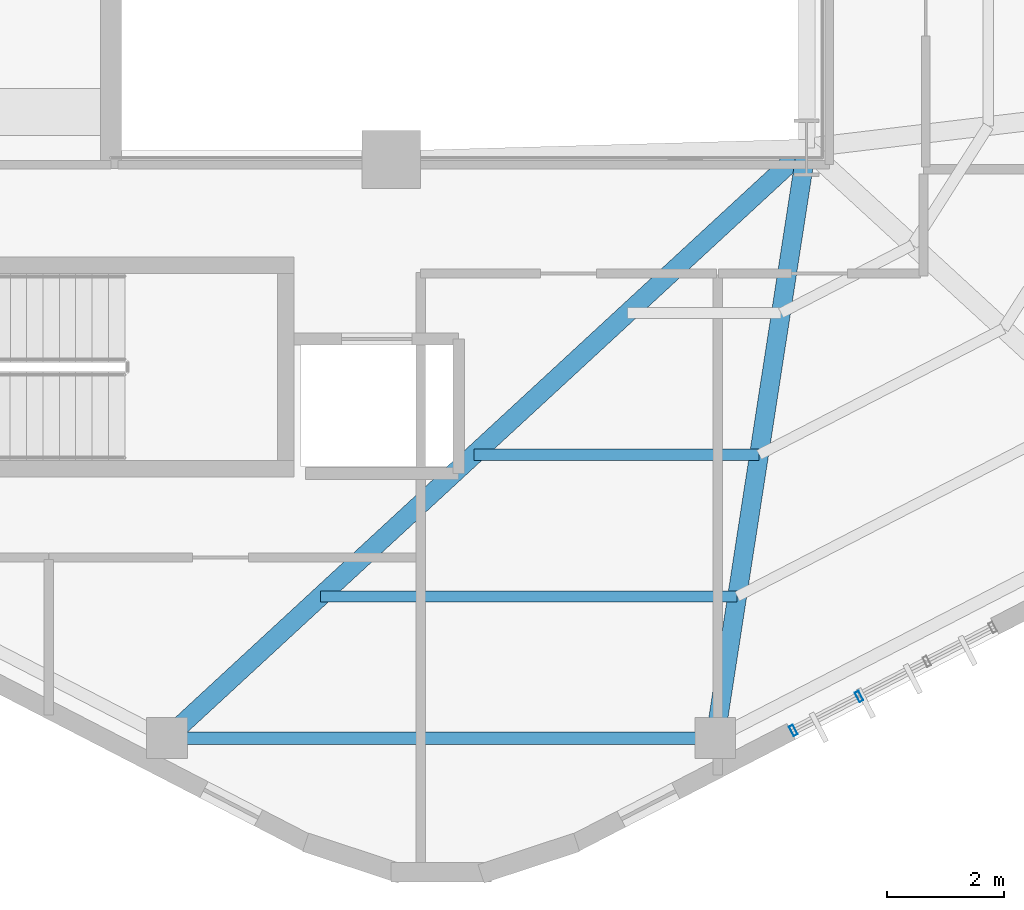
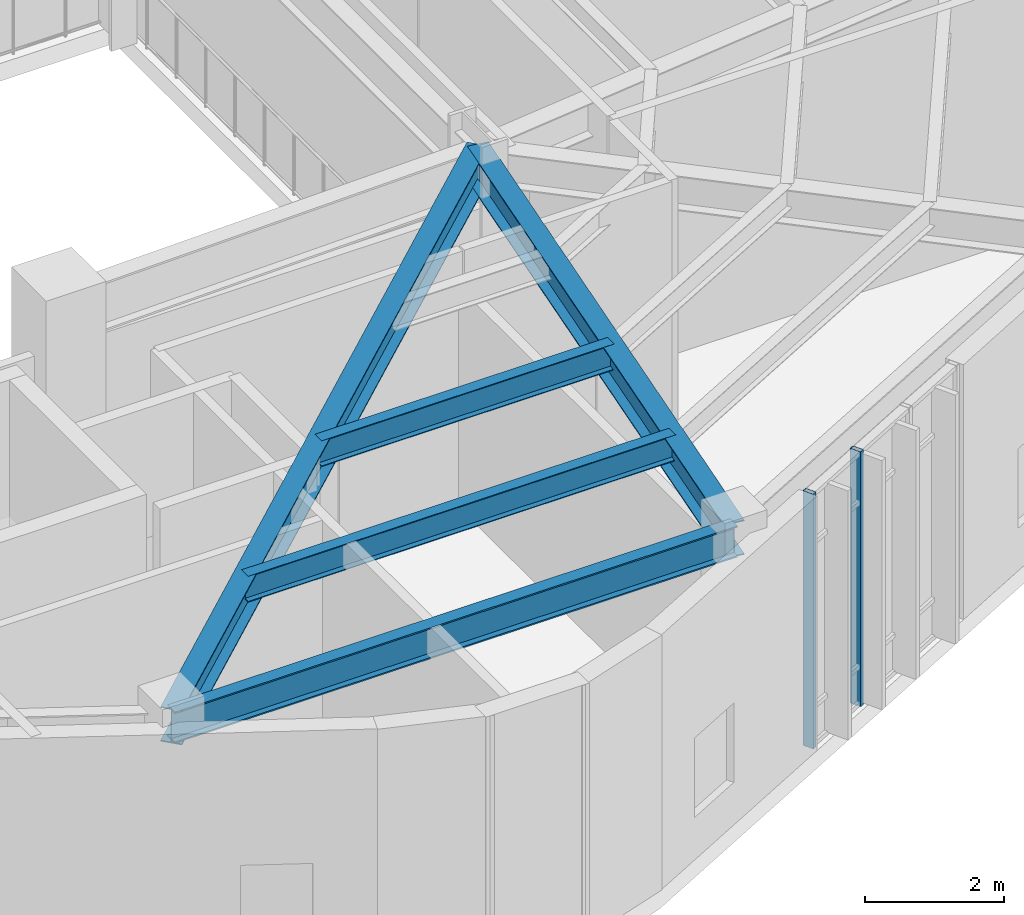
# One storey, part 3 of 19: 5 beams, 2 members, 1 element without a shape of its own.
"""IFC4 building model written with IfcOpenShell, lengths in metres."""

from ifc_helpers import new_model, si_unit, direction, frame, origin, origin_2d, place, context, subcontext, project, spatial, hollow_rectangle, i_section, extrude, material, layer, layer_set, material_profile, profile_set, type_object, element, aggregate, save


model = new_model("IFC4")

# Units and contexts
model_context = context("Model", 3, precision=1e-05, world=origin(), true_north=direction((0.0, 1.0)))
body_context = subcontext(model_context, "Body", "Model", "MODEL_VIEW")
ifc_project = project(units=[si_unit("LENGTHUNIT", "METRE"), si_unit("AREAUNIT", "SQUARE_METRE"), si_unit("VOLUMEUNIT", "CUBIC_METRE"), si_unit("PLANEANGLEUNIT", "RADIAN"), si_unit("MASSUNIT", "GRAM", prefix="KILO"), si_unit("THERMODYNAMICTEMPERATUREUNIT", "KELVIN"), si_unit("POWERUNIT", "WATT")], contexts=[model_context])

# Site, building, storey
site_placement = place(None, origin())
site = spatial("IfcSite", under=ifc_project, at=site_placement, CompositionType="ELEMENT")
building_placement = place(site_placement, origin())
building = spatial("IfcBuilding", under=site, at=building_placement, Name="Skarre Station Tower", CompositionType="ELEMENT")
storey_placement = place(building_placement, frame((0.0, 0.0, 275.10009765625)))
storey = spatial("IfcBuildingStorey", under=building, at=storey_placement, Name="L75", CompositionType="ELEMENT", Elevation=275.10009765625)

# Curtain wall, members
ifc_material_1 = material(Name="Thermally Broken Bronze-Anodized Aluminium & Triple Low-E Glass", Category="aluminium")
ifc_layer = layer(ifc_material_1, 0.219970703125, Name="Thermally Broken Bronze-Anodized Aluminium & Triple Low-E Glass")
ifc_layer_set = layer_set([ifc_layer], Name="Thermally Broken Bronze-Anodized Aluminium & Triple Low-E Glass")
curtain_wall_type = type_object("IfcCurtainWallType", Name="Observation Deck Panorama Unitised Curtain Wall", PredefinedType="NOTDEFINED", material=ifc_layer_set)
curtain_wall_placement = place(storey_placement, origin())
curtain_wall = element("IfcCurtainWall", 1, at=curtain_wall_placement, inside=storey, type_object=curtain_wall_type, Name="L75 Facet 4 Observatory Curtain Wall", PredefinedType="NOTDEFINED")
ifc_material_2 = material(Name="Anodized Aluminium 6063-T6", Category="aluminium")
ifc_material_profile_1 = material_profile(ifc_material_2, hollow_rectangle(XDim=0.074951171875, YDim=0.179931640625, WallThickness=0.00390625, at=origin_2d()), Name="Anodized Aluminium 6063-T6")
ifc_profile_set_1 = profile_set([ifc_material_profile_1], Name="Anodized Aluminium 6063-T6")
member_type = type_object("IfcMemberType", Name="Curtain-Wall Unitised Tower Mullion 180x75", PredefinedType="MULLION", material=ifc_profile_set_1)
member_1_placement = place(storey_placement, frame((40.34912109375, 9.26611328125, 0.0), z_axis=(0.0, 0.0, 1.0), x_axis=(-0.88848110948, -0.458913192332, 0.0)))
member_1 = element("IfcMember", 2, at=member_1_placement, type_object=member_type, Name="L75 Facet 4 Observatory Curtain Wall Mullion 3", PredefinedType="MULLION", context=body_context, shape_type="SweptSolid", body=[
    extrude(hollow_rectangle(XDim=0.074951171875, YDim=0.179931640625, WallThickness=0.00390625, at=origin_2d()), origin(), (0.0, 0.0, 1.0), 4.489990234375),
])
member_2_placement = place(storey_placement, frame((39.22412109375, 8.68408203125, 0.0), z_axis=(0.0, 0.0, 1.0), x_axis=(-0.88848110948, -0.458913192332, 0.0)))
member_2 = element("IfcMember", 3, at=member_2_placement, type_object=member_type, Name="L75 Facet 4 Observatory Curtain Wall Mullion 4", PredefinedType="MULLION", context=body_context, shape_type="SweptSolid", body=[
    extrude(hollow_rectangle(XDim=0.074951171875, YDim=0.179931640625, WallThickness=0.00390625, at=origin_2d()), origin(), (0.0, 0.0, 1.0), 4.489990234375),
])
aggregate(curtain_wall, [member_1, member_2])

# Beams
ifc_material_3 = material(Name="Steel ASTM A992 Grade 50", Category="steel")
ifc_material_profile_2 = material_profile(ifc_material_3, i_section(OverallWidth=0.323974609375, OverallDepth=0.611083984375, WebThickness=0.012939453125, FlangeThickness=0.01904296875, at=origin_2d()), Name="Steel ASTM A992 Grade 50")
ifc_profile_set_2 = profile_set([ifc_material_profile_2], Name="Steel ASTM A992 Grade 50")
beam_type_1 = type_object("IfcBeamType", Name="Steel Beam W24X104", PredefinedType="BEAM", material=ifc_profile_set_2)
beam_1_placement = place(storey_placement, frame((39.449951171875, 18.64990234375, 4.183837890625), z_axis=(-0.734822935818, -0.678258986668, 0.0), x_axis=(0.678258986668, -0.734822935818, 0.0)))
element("IfcBeam", 4, at=beam_1_placement, inside=storey, type_object=beam_type_1, Name="L75 Radial Floor Girder F3C2", PredefinedType="BEAM", context=body_context, shape_type="SweptSolid", body=[
    extrude(i_section(OverallWidth=0.323974609375, OverallDepth=0.611083984375, WebThickness=0.012939453125, FlangeThickness=0.01904296875, at=origin_2d()), origin(), (0.0, 0.0, 1.0), 14.886474609375),
])
beam_2_placement = place(storey_placement, frame((39.449951171875, 18.64990234375, 4.183837890625), z_axis=(-0.152789762931, -0.988258715288, 0.0), x_axis=(0.988258715288, -0.152789762931, 0.0)))
element("IfcBeam", 5, at=beam_2_placement, inside=storey, type_object=beam_type_1, Name="L75 Radial Floor Girder F4C1", PredefinedType="BEAM", context=body_context, shape_type="SweptSolid", body=[
    extrude(i_section(OverallWidth=0.323974609375, OverallDepth=0.611083984375, WebThickness=0.012939453125, FlangeThickness=0.01904296875, at=origin_2d()), origin(), (0.0, 0.0, 1.0), 10.216796875),
])
ifc_material_profile_3 = material_profile(ifc_material_3, i_section(OverallWidth=0.19091796875, OverallDepth=0.45703125, WebThickness=0.009033203125, FlangeThickness=0.013916015625, at=origin_2d()), Name="Steel ASTM A992 Grade 50")
ifc_profile_set_3 = profile_set([ifc_material_profile_3], Name="Steel ASTM A992 Grade 50")
beam_type_2 = type_object("IfcBeamType", Name="Steel Joist W18X50", PredefinedType="JOIST", material=ifc_profile_set_3)
beam_3_placement = place(storey_placement, frame((33.761962890625, 13.39990234375, 4.260986328125), z_axis=(1.0, 0.0, 0.0), x_axis=(0.0, 1.0, 0.0)))
element("IfcBeam", 6, at=beam_3_placement, inside=storey, type_object=beam_type_2, Name="L75 Auxiliary Composite Joist 13", PredefinedType="JOIST", context=body_context, shape_type="SweptSolid", body=[
    extrude(i_section(OverallWidth=0.19091796875, OverallDepth=0.45703125, WebThickness=0.009033203125, FlangeThickness=0.013916015625, at=origin_2d()), origin(), (0.0, 0.0, 1.0), 4.8759765625),
])
beam_4_placement = place(storey_placement, frame((31.135986328125, 10.97607421875, 4.260986328125), z_axis=(1.0, 0.0, 0.0), x_axis=(0.0, 1.0, 0.0)))
element("IfcBeam", 7, at=beam_4_placement, inside=storey, type_object=beam_type_2, Name="L75 Auxiliary Composite Joist 14", PredefinedType="JOIST", context=body_context, shape_type="SweptSolid", body=[
    extrude(i_section(OverallWidth=0.19091796875, OverallDepth=0.45703125, WebThickness=0.009033203125, FlangeThickness=0.013916015625, at=origin_2d()), origin(), (0.0, 0.0, 1.0), 7.1279296875),
])
ifc_material_profile_4 = material_profile(ifc_material_3, i_section(OverallWidth=0.214111328125, OverallDepth=0.549072265625, WebThickness=0.014892578125, FlangeThickness=0.02392578125, at=origin_2d()), Name="Steel ASTM A992 Grade 50")
ifc_profile_set_4 = profile_set([ifc_material_profile_4], Name="Steel ASTM A992 Grade 50")
beam_type_3 = type_object("IfcBeamType", Name="Steel Spandrel W21X93", PredefinedType="SPANDREL", material=ifc_profile_set_4)
beam_5_placement = place(storey_placement, frame((28.510986328125, 8.552978515625, 4.21484375), z_axis=(1.0, 0.0, 0.0), x_axis=(0.0, 1.0, 0.0)))
element("IfcBeam", 8, at=beam_5_placement, inside=storey, type_object=beam_type_3, Name="L75 Facet Spandrel Beam 8", PredefinedType="SPANDREL", context=body_context, shape_type="SweptSolid", body=[
    extrude(i_section(OverallWidth=0.214111328125, OverallDepth=0.549072265625, WebThickness=0.014892578125, FlangeThickness=0.02392578125, at=origin_2d()), origin(), (0.0, 0.0, 1.0), 9.3779296875),
])

save(model, "model.ifc")
